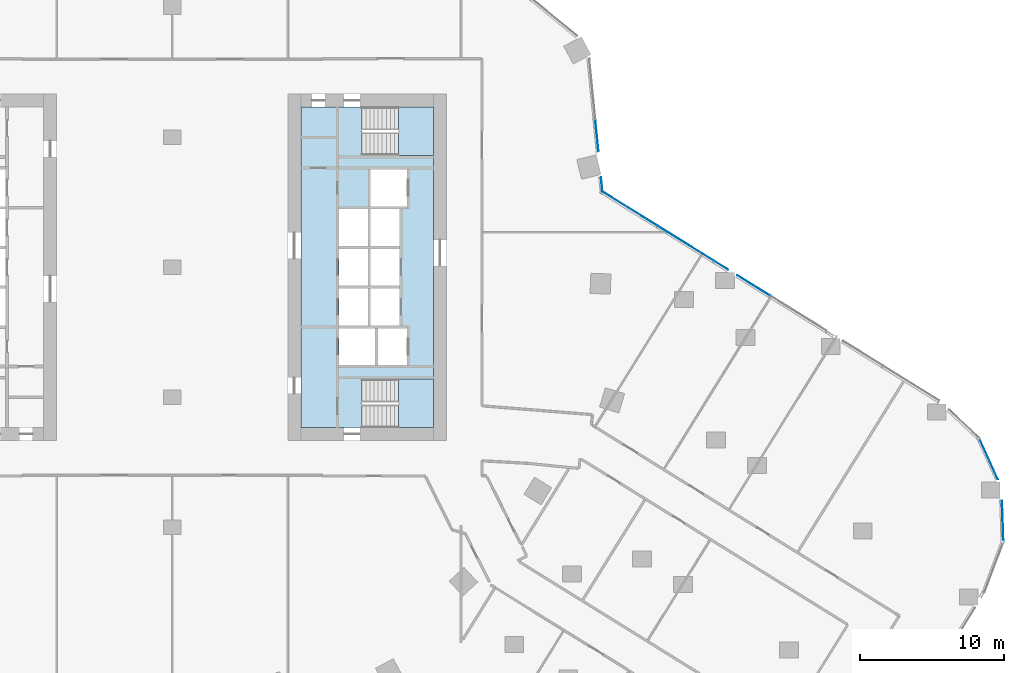
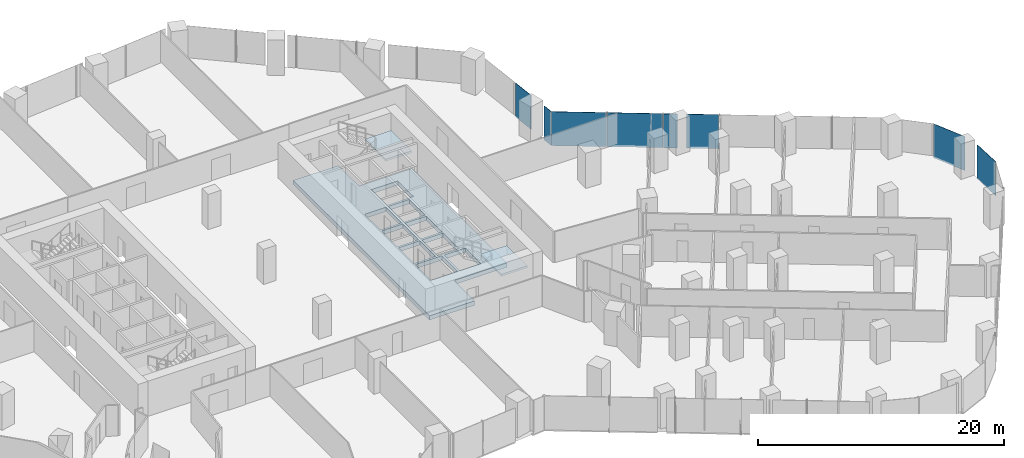
# One storey, part 23 of 34: 8 plates, 3 slabs, 6 elements without a shape of their own.
"""IFC4 building model written with IfcOpenShell, lengths in metres."""

import ifcopenshell
import ifcopenshell.guid

model = None  # the IFC model being written
_history = None  # IfcOwnerHistory: only IFC2X3 demands one
_inside = {}  # id of a spatial element -> (the spatial element, [elements in it])
_under = {}  # id of a project, library or spatial element -> (it, [spatial elements below it])
_declared = {}  # id of a project -> (the project, [libraries it declares])
_typed = {}  # id of a type object -> (the type object, [elements of that type])
_made_of = {}  # id of a material, layer set ... -> (it, [elements and type objects made of it])


def new_model(schema):
    """Start an empty IFC model of exactly this schema.

    Asked for "IFC4X3", IfcOpenShell would pick the latest addendum, in which some entities
    have other attributes; the version numbers below select the first issue.
    IFC2X3 requires an IfcOwnerHistory on every rooted entity: one is made here for all.
    """
    global model, _history
    if schema == "IFC4X3":
        model = ifcopenshell.file(schema_version=(4, 3, 0, 0))
    else:
        model = ifcopenshell.file(schema=schema)
    _inside.clear()
    _under.clear()
    _declared.clear()
    _typed.clear()
    _made_of.clear()
    _history = None
    if model.schema == "IFC2X3":
        org = make("IfcOrganization", Name="unknown")
        user = make(
            "IfcPersonAndOrganization",
            ThePerson=make("IfcPerson", FamilyName="unknown"),
            TheOrganization=org,
        )
        app = make(
            "IfcApplication",
            ApplicationDeveloper=org,
            Version="unknown",
            ApplicationFullName="unknown",
            ApplicationIdentifier="unknown",
        )
        _history = make(
            "IfcOwnerHistory",
            OwningUser=user,
            OwningApplication=app,
            ChangeAction="ADDED",
            CreationDate=0,
        )
    return model


def make(cls, **values):
    """One entity of the class cls with the attributes given. An attribute that is None is left unset."""
    return model.create_entity(
        cls, **{name: value for name, value in values.items() if value is not None}
    )


def rooted(cls, **values):
    """An entity with a GlobalId (a new one), such as an element, a storey or a relation."""
    return make(cls, GlobalId=ifcopenshell.guid.new(), OwnerHistory=_history, **values)


def si_unit(unit_type, name, prefix=None):
    """IfcSIUnit, for example si_unit("LENGTHUNIT", "METRE", prefix="MILLI")."""
    return make("IfcSIUnit", UnitType=unit_type, Prefix=prefix, Name=name)


def assignment(units):
    """IfcUnitAssignment: the units of a project."""
    return None if units is None else make("IfcUnitAssignment", Units=units)


def point(xyz):
    """IfcCartesianPoint."""
    return None if xyz is None else make("IfcCartesianPoint", Coordinates=xyz)


def direction(xyz):
    """IfcDirection."""
    return None if xyz is None else make("IfcDirection", DirectionRatios=xyz)


def frame(location, z_axis=None, x_axis=None):
    """IfcAxis2Placement3D, a coordinate frame: its origin and axes. An axis left out is left unset."""
    return make(
        "IfcAxis2Placement3D",
        Location=point(location),
        Axis=direction(z_axis),
        RefDirection=direction(x_axis),
    )


def frame_2d(location, x_axis=None):
    """IfcAxis2Placement2D, a coordinate frame in the plane: its origin and x axis."""
    return make(
        "IfcAxis2Placement2D", Location=point(location), RefDirection=direction(x_axis)
    )


def origin():
    """The frame at (0, 0, 0) with its axes left unset."""
    return frame((0.0, 0.0, 0.0))


def origin_2d():
    """The frame at (0, 0) in the plane with its x axis left unset."""
    return frame_2d((0.0, 0.0))


def place(relative_to, where):
    """IfcLocalPlacement: puts the frame where relative to a parent placement (None: the world)."""
    return make(
        "IfcLocalPlacement", PlacementRelTo=relative_to, RelativePlacement=where
    )


def context(
    kind, dimensions, precision=None, world=None, true_north=None, identifier=None
):
    """IfcGeometricRepresentationContext, for example the 3D "Model" context."""
    return make(
        "IfcGeometricRepresentationContext",
        ContextIdentifier=identifier,
        ContextType=kind,
        CoordinateSpaceDimension=dimensions,
        Precision=precision,
        WorldCoordinateSystem=world,
        TrueNorth=true_north,
    )


def subcontext(parent, identifier, kind, view, scale=None):
    """IfcGeometricRepresentationSubContext, for example "Body" below "Model"."""
    return make(
        "IfcGeometricRepresentationSubContext",
        ContextIdentifier=identifier,
        ContextType=kind,
        ParentContext=parent,
        TargetScale=scale,
        TargetView=view,
    )


def project(units=None, contexts=None):
    """IfcProject with its units and contexts."""
    return rooted(
        "IfcProject",
        Name="project",
        RepresentationContexts=contexts,
        UnitsInContext=assignment(units),
    )


def spatial(cls, under=None, at=None, **own):
    """A site, building, storey or space (cls), placed at a placement, below another one or the project."""
    s = rooted(cls, ObjectPlacement=at, **own)
    if under is not None:
        _under.setdefault(under.id(), (under, []))[1].append(s)
    return s


def polyline(points):
    """IfcPolyline through the points."""
    return make("IfcPolyline", Points=[point(p) for p in points])


def profile(cls, at=None, kind="AREA", **sizes):
    """A parametric profile (cls). Its sizes go by their IFC names, for example OverallWidth=200.0."""
    return make(cls, ProfileType=kind, Position=at, **sizes)


def rectangle(**sizes):
    """IfcRectangleProfileDef."""
    return profile("IfcRectangleProfileDef", **sizes)


def outline(outer, holes=None, kind="AREA"):
    """IfcArbitraryClosedProfileDef: a profile drawn as a closed curve; with holes, ...WithVoids."""
    if holes is None:
        return make("IfcArbitraryClosedProfileDef", ProfileType=kind, OuterCurve=outer)
    return make(
        "IfcArbitraryProfileDefWithVoids",
        ProfileType=kind,
        OuterCurve=outer,
        InnerCurves=holes,
    )


def extrude(swept, where, along, depth):
    """IfcExtrudedAreaSolid: the profile swept, set in the frame where, extruded along a direction by depth."""
    return make(
        "IfcExtrudedAreaSolid",
        SweptArea=swept,
        Position=where,
        ExtrudedDirection=direction(along),
        Depth=depth,
    )


def shape(context_of_items, identifier, shape_type, items):
    """IfcShapeRepresentation: the items that make up one representation, for example the "Body"."""
    return make(
        "IfcShapeRepresentation",
        ContextOfItems=context_of_items,
        RepresentationIdentifier=identifier,
        RepresentationType=shape_type,
        Items=items,
    )


def material(Name=None, Category=None):
    """IfcMaterial."""
    return make("IfcMaterial", Name=Name, Category=Category)


def layer(
    of_material, thickness, ventilated=None, Name=None, Category=None, Priority=None
):
    """IfcMaterialLayer: one layer of a wall or slab, of a material (None: an air gap)."""
    return make(
        "IfcMaterialLayer",
        Material=of_material,
        LayerThickness=thickness,
        IsVentilated=ventilated,
        Name=Name,
        Category=Category,
        Priority=Priority,
    )


def layer_set(layers, Name=None):
    """IfcMaterialLayerSet."""
    return make("IfcMaterialLayerSet", MaterialLayers=layers, LayerSetName=Name)


def made_of(thing, what):
    """Note that an element or type object is made of a material, layer set ...; save() writes the relation."""
    if what is not None:
        _made_of.setdefault(what.id(), (what, []))[1].append(thing)
    return thing


def type_object(cls, material=None, **own):
    """A type object (cls), such as IfcWallType, which elements share."""
    return made_of(rooted(cls, **own), material)


def element(
    cls,
    number,
    at=None,
    inside=None,
    cuts=None,
    type_object=None,
    material=None,
    context=None,
    identifier="Body",
    shape_type=None,
    held_by="IfcProductDefinitionShape",
    body=None,
    shapes=None,
    **own,
):
    """One element of the class cls, such as IfcWall. Its Tag is "e" and its number.

    at: its placement. inside: the storey or other place that contains it. cuts: it is an
    opening in that element (IfcRelVoidsElement). A single representation is given by context,
    identifier, shape_type and body (its items); several are given by shapes. held_by: the class
    of the entity that holds the representations. save() writes the other relations.
    """
    e = rooted(cls, Tag="e%d" % number, ObjectPlacement=at, **own)
    if body is not None:
        shapes = [shape(context, identifier, shape_type, body)]
    if shapes is not None:
        e.Representation = make(held_by, Representations=shapes)
    if inside is not None:
        _inside.setdefault(inside.id(), (inside, []))[1].append(e)
    if cuts is not None:
        rooted(
            "IfcRelVoidsElement", RelatingBuildingElement=cuts, RelatedOpeningElement=e
        )
    if type_object is not None:
        _typed.setdefault(type_object.id(), (type_object, []))[1].append(e)
    return made_of(e, material)


def aggregate(whole, parts):
    """IfcRelAggregates: a whole, such as a stair, and the parts it consists of."""
    return rooted("IfcRelAggregates", RelatingObject=whole, RelatedObjects=parts)


def save(model, path):
    """Write the relations noted so far, then the file.

    IfcRelAggregates (storeys below a building ...), IfcRelContainedInSpatialStructure (elements
    in a storey), IfcRelDefinesByType, IfcRelAssociatesMaterial and IfcRelDeclares: one each for
    every whole, place, type object, material and project.
    """
    for whole, parts in _under.values():
        aggregate(whole, parts)
    for where, things in _inside.values():
        rooted(
            "IfcRelContainedInSpatialStructure",
            RelatedElements=things,
            RelatingStructure=where,
        )
    for kind, things in _typed.values():
        rooted("IfcRelDefinesByType", RelatedObjects=things, RelatingType=kind)
    for what, things in _made_of.values():
        rooted("IfcRelAssociatesMaterial", RelatedObjects=things, RelatingMaterial=what)
    for by, libraries in _declared.values():
        rooted("IfcRelDeclares", RelatingContext=by, RelatedDefinitions=libraries)
    model.write(path)


model = new_model("IFC4")

# Units and contexts
model_context = context("Model", 3, precision=1e-05, world=origin(), true_north=direction((0.0, 1.0)))
body_context = subcontext(model_context, "Body", "Model", "MODEL_VIEW")
ifc_project = project(units=[si_unit("LENGTHUNIT", "METRE"), si_unit("AREAUNIT", "SQUARE_METRE"), si_unit("VOLUMEUNIT", "CUBIC_METRE"), si_unit("PLANEANGLEUNIT", "RADIAN"), si_unit("MASSUNIT", "GRAM", prefix="KILO")], contexts=[model_context])

# Site, building, storey
site_placement = place(None, origin())
site = spatial("IfcSite", under=ifc_project, at=site_placement, CompositionType="ELEMENT")
building_placement = place(site_placement, origin())
building = spatial("IfcBuilding", under=site, at=building_placement, Name="Orlundy Tower", CompositionType="ELEMENT")
storey_placement = place(building_placement, frame((0.0, 0.0, 47.800048828125)))
storey = spatial("IfcBuildingStorey", under=building, at=storey_placement, Name="L10", CompositionType="ELEMENT", Elevation=47.800048828125)

# Curtain wall, plates
ifc_material_1 = material(Name="Aluminium bronze anodised", Category="aluminium")
curtain_wall_type = type_object("IfcCurtainWallType", Name="CW1 wall", PredefinedType="NOTDEFINED", material=ifc_material_1)
curtain_wall_1_placement = place(storey_placement, origin())
curtain_wall_1 = element("IfcCurtainWall", 1, at=curtain_wall_1_placement, inside=storey, type_object=curtain_wall_type, Name="CW1 run 05", PredefinedType="NOTDEFINED")
ifc_material_2 = material(Name="Tinted glass", Category="glass")
ifc_layer_1 = layer(ifc_material_2, 0.031982421875)
ifc_layer_set_1 = layer_set([ifc_layer_1], Name="CW1 glass panel 32")
plate_type = type_object("IfcPlateType", Name="CW1 glass panel 32", PredefinedType="CURTAIN_PANEL", material=ifc_layer_set_1)
plate_1_placement = place(storey_placement, frame((29.40625, 9.1259765625, -0.300048828125), z_axis=(0.0, 0.0, 1.0), x_axis=(0.098758968204, -0.995111383815, 0.0)))
plate_1 = element("IfcPlate", 2, at=plate_1_placement, type_object=plate_type, Name="CW1 panel", PredefinedType="CURTAIN_PANEL", context=body_context, shape_type="SweptSolid", body=[
    extrude(rectangle(XDim=2.210205078125, YDim=0.031982421875, at=origin_2d()), origin(), (0.0, 0.0, 1.0), 3.3798828125),
])
plate_2_placement = place(storey_placement, frame((29.74365234375, 5.72802734375, -0.300048828125), z_axis=(0.0, 0.0, 1.0), x_axis=(0.098758968204, -0.995111383815, 0.0)))
plate_2 = element("IfcPlate", 3, at=plate_2_placement, type_object=plate_type, Name="CW1 panel", PredefinedType="CURTAIN_PANEL", context=body_context, shape_type="SweptSolid", body=[
    extrude(rectangle(XDim=0.9853515625, YDim=0.031982421875, at=origin_2d()), origin(), (0.0, 0.0, 1.0), 3.3798828125),
])
aggregate(curtain_wall_1, [plate_1, plate_2])

curtain_wall_2_placement = place(storey_placement, origin())
curtain_wall_2 = element("IfcCurtainWall", 4, at=curtain_wall_2_placement, inside=storey, type_object=curtain_wall_type, Name="CW1 run 06", PredefinedType="NOTDEFINED")
plate_3_placement = place(storey_placement, frame((31.696533203125, 4.055419921875, -0.300048828125), z_axis=(0.0, 0.0, 1.0), x_axis=(0.849584043137, -0.527453271529, 0.0)))
plate_3 = element("IfcPlate", 5, at=plate_3_placement, type_object=plate_type, Name="CW1 panel", PredefinedType="CURTAIN_PANEL", context=body_context, shape_type="SweptSolid", body=[
    extrude(rectangle(XDim=4.48291015625, YDim=0.031982421875, at=origin_2d()), origin(), (0.0, 0.0, 1.0), 3.3798828125),
])
plate_4_placement = place(storey_placement, frame((35.5712890625, 1.64990234375, -0.300048828125), z_axis=(0.0, 0.0, 1.0), x_axis=(0.849584043137, -0.527453271529, 0.0)))
plate_4 = element("IfcPlate", 6, at=plate_4_placement, type_object=plate_type, Name="CW1 panel", PredefinedType="CURTAIN_PANEL", context=body_context, shape_type="SweptSolid", body=[
    extrude(rectangle(XDim=4.538818359375, YDim=0.031982421875, at=origin_2d()), origin(), (0.0, 0.0, 1.0), 3.3798828125),
])
plate_5_placement = place(storey_placement, frame((38.025390625, 0.126220703125, -0.300048828125), z_axis=(0.0, 0.0, 1.0), x_axis=(0.849584043137, -0.527453271529, 0.0)))
plate_5 = element("IfcPlate", 7, at=plate_5_placement, type_object=plate_type, Name="CW1 panel", PredefinedType="CURTAIN_PANEL", context=body_context, shape_type="SweptSolid", body=[
    extrude(rectangle(XDim=1.138427734375, YDim=0.031982421875, at=origin_2d()), origin(), (0.0, 0.0, 1.0), 3.3798828125),
])
plate_6_placement = place(storey_placement, frame((40.25830078125, -1.260009765625, -0.300048828125), z_axis=(0.0, 0.0, 1.0), x_axis=(0.849584043137, -0.527453271529, 0.0)))
plate_6 = element("IfcPlate", 8, at=plate_6_placement, type_object=plate_type, Name="CW1 panel", PredefinedType="CURTAIN_PANEL", context=body_context, shape_type="SweptSolid", body=[
    extrude(rectangle(XDim=2.68212890625, YDim=0.031982421875, at=origin_2d()), origin(), (0.0, 0.0, 1.0), 3.3798828125),
])
aggregate(curtain_wall_2, [plate_3, plate_4, plate_5, plate_6])

# Curtain wall, plate
curtain_wall_3_placement = place(storey_placement, origin())
curtain_wall_3 = element("IfcCurtainWall", 9, at=curtain_wall_3_placement, inside=storey, type_object=curtain_wall_type, Name="CW1 run 08", PredefinedType="NOTDEFINED")
plate_7_placement = place(storey_placement, frame((56.520751953125, -13.245361328125, -0.300048828125), z_axis=(0.0, 0.0, 1.0), x_axis=(0.413335357608, -0.91057887201, 0.0)))
plate_7 = element("IfcPlate", 10, at=plate_7_placement, type_object=plate_type, Name="CW1 panel", PredefinedType="CURTAIN_PANEL", context=body_context, shape_type="SweptSolid", body=[
    extrude(rectangle(XDim=3.140380859375, YDim=0.031982421875, at=origin_2d()), origin(), (0.0, 0.0, 1.0), 3.3798828125),
])
aggregate(curtain_wall_3, [plate_7])

curtain_wall_4_placement = place(storey_placement, origin())
curtain_wall_4 = element("IfcCurtainWall", 11, at=curtain_wall_4_placement, inside=storey, type_object=curtain_wall_type, Name="CW1 run 09", PredefinedType="NOTDEFINED")
plate_8_placement = place(storey_placement, frame((57.50927734375, -17.59765625, -0.300048828125), z_axis=(0.0, 0.0, 1.0), x_axis=(0.033449557474, -0.99944040698, 0.0)))
plate_8 = element("IfcPlate", 12, at=plate_8_placement, type_object=plate_type, Name="CW1 panel", PredefinedType="CURTAIN_PANEL", context=body_context, shape_type="SweptSolid", body=[
    extrude(rectangle(XDim=2.8466796875, YDim=0.031982421875, at=origin_2d()), origin(), (0.0, 0.0, 1.0), 3.3798828125),
])
aggregate(curtain_wall_4, [plate_8])

# Slab
ifc_material_3 = material(Name="Concrete C50/60", Category="concrete")
ifc_layer_2 = layer(ifc_material_3, 0.419921875)
ifc_layer_set_2 = layer_set([ifc_layer_2], Name="Core Floor Slab 420")
slab_type_1 = type_object("IfcSlabType", Name="Core Floor Slab 420", PredefinedType="FLOOR", material=ifc_layer_set_2)
slab_1_placement = place(storey_placement, frame((0.0, 0.0, -0.420166015625)))
element("IfcSlab", 13, at=slab_1_placement, inside=storey, type_object=slab_type_1, Name="Core floor E09", PredefinedType="FLOOR", context=body_context, shape_type="SweptSolid", body=[
    extrude(outline(polyline([(13.14501953125, -7.75), (13.14501953125, -11.10009765625), (8.89990234375, -11.10009765625), (8.89990234375, 11.10009765625), (13.14501953125, 11.10009765625), (13.14501953125, 7.75), (18.10009765625, 7.75), (18.10009765625, -7.75), (13.14501953125, -7.75)]), holes=[polyline([(16.239990234375, 6.77490234375), (13.739990234375, 6.77490234375), (13.739990234375, 4.22509765625), (16.239990234375, 4.22509765625), (16.239990234375, 6.77490234375)]), polyline([(13.5400390625, 1.47509765625), (13.5400390625, 4.02490234375), (11.5400390625, 4.02490234375), (11.5400390625, 1.47509765625), (13.5400390625, 1.47509765625)]), polyline([(13.739990234375, 1.47509765625), (15.739990234375, 1.47509765625), (15.739990234375, 4.02490234375), (13.739990234375, 4.02490234375), (13.739990234375, 1.47509765625)]), polyline([(11.5400390625, 1.27490234375), (11.5400390625, -1.27490234375), (13.5400390625, -1.27490234375), (13.5400390625, 1.27490234375), (11.5400390625, 1.27490234375)]), polyline([(15.739990234375, 1.27490234375), (13.739990234375, 1.27490234375), (13.739990234375, -1.27490234375), (15.739990234375, -1.27490234375), (15.739990234375, 1.27490234375)]), polyline([(13.5400390625, -4.02490234375), (13.5400390625, -1.47509765625), (11.5400390625, -1.47509765625), (11.5400390625, -4.02490234375), (13.5400390625, -4.02490234375)]), polyline([(13.739990234375, -4.02490234375), (15.739990234375, -4.02490234375), (15.739990234375, -1.47509765625), (13.739990234375, -1.47509765625), (13.739990234375, -4.02490234375)]), polyline([(11.5400390625, -4.22509765625), (11.5400390625, -6.77490234375), (14.0400390625, -6.77490234375), (14.0400390625, -4.22509765625), (11.5400390625, -4.22509765625)]), polyline([(16.239990234375, -4.22509765625), (14.239990234375, -4.22509765625), (14.239990234375, -6.77490234375), (16.239990234375, -6.77490234375), (16.239990234375, -4.22509765625)])]), origin(), (0.0, 0.0, 1.0), 0.420166015625),
])

# Stair, slab
ifc_material_4 = material(Name="Concrete C50/60", Category="concrete")
stair_type = type_object("IfcStairType", Name="Exit Stair 20 risers", PredefinedType="HALF_TURN_STAIR", material=ifc_material_4)
stair_1_placement = place(storey_placement, origin())
stair_1 = element("IfcStair", 14, at=stair_1_placement, inside=storey, type_object=stair_type, Name="L10 Exit Stair ST-E1", PredefinedType="HALF_TURN_STAIR")
ifc_material_5 = material(Name="Concrete C50/60", Category="concrete")
ifc_layer_3 = layer(ifc_material_5, 0.199951171875)
ifc_layer_set_3 = layer_set([ifc_layer_3], Name="Exit Stair Landing")
slab_type_2 = type_object("IfcSlabType", Name="Exit Stair Landing", PredefinedType="LANDING", material=ifc_layer_set_3)
slab_2_placement = place(storey_placement, frame((0.0, 0.0, 1.550048828125)))
slab_2 = element("IfcSlab", 15, at=slab_2_placement, type_object=slab_type_2, Name="ST-E1 landing 1", PredefinedType="LANDING", context=body_context, shape_type="SweptSolid", body=[
    extrude(outline(polyline([(15.659912109375, -11.10009765625), (18.10009765625, -11.10009765625), (18.10009765625, -7.75), (15.659912109375, -7.75), (15.659912109375, -11.10009765625)])), origin(), (0.0, 0.0, 1.0), 0.199951171875),
])
aggregate(stair_1, [slab_2])

stair_2_placement = place(storey_placement, origin())
stair_2 = element("IfcStair", 16, at=stair_2_placement, inside=storey, type_object=stair_type, Name="L10 Exit Stair ST-E2", PredefinedType="HALF_TURN_STAIR")
slab_3_placement = place(storey_placement, frame((0.0, 0.0, 1.550048828125)))
slab_3 = element("IfcSlab", 17, at=slab_3_placement, type_object=slab_type_2, Name="ST-E2 landing 1", PredefinedType="LANDING", context=body_context, shape_type="SweptSolid", body=[
    extrude(outline(polyline([(15.659912109375, 7.75), (18.10009765625, 7.75), (18.10009765625, 11.10009765625), (15.659912109375, 11.10009765625), (15.659912109375, 7.75)])), origin(), (0.0, 0.0, 1.0), 0.199951171875),
])
aggregate(stair_2, [slab_3])

save(model, "model.ifc")
